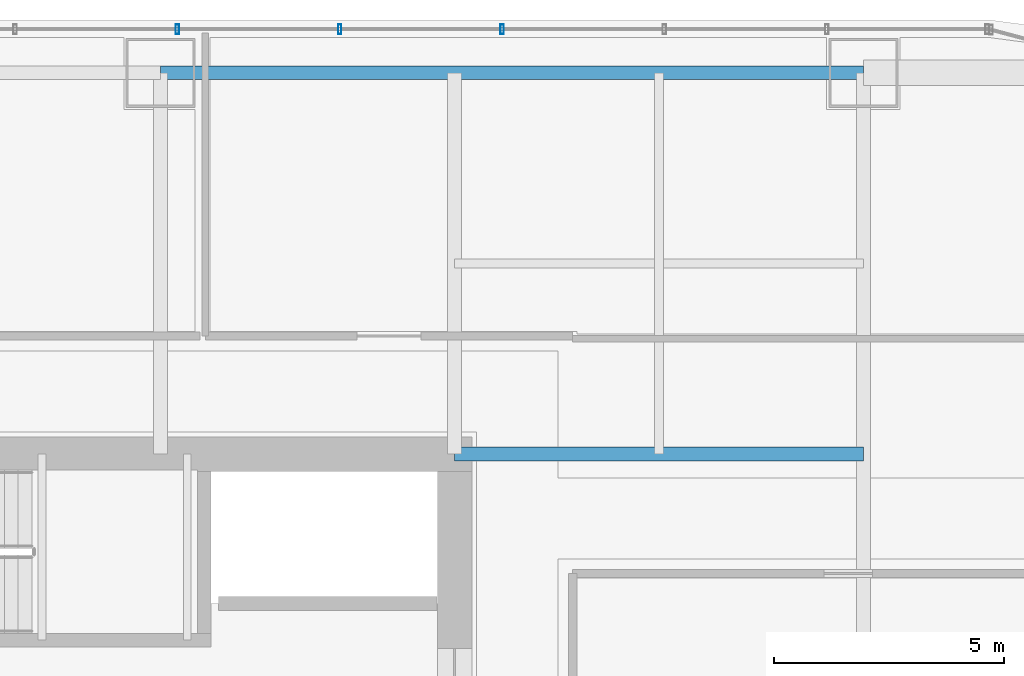
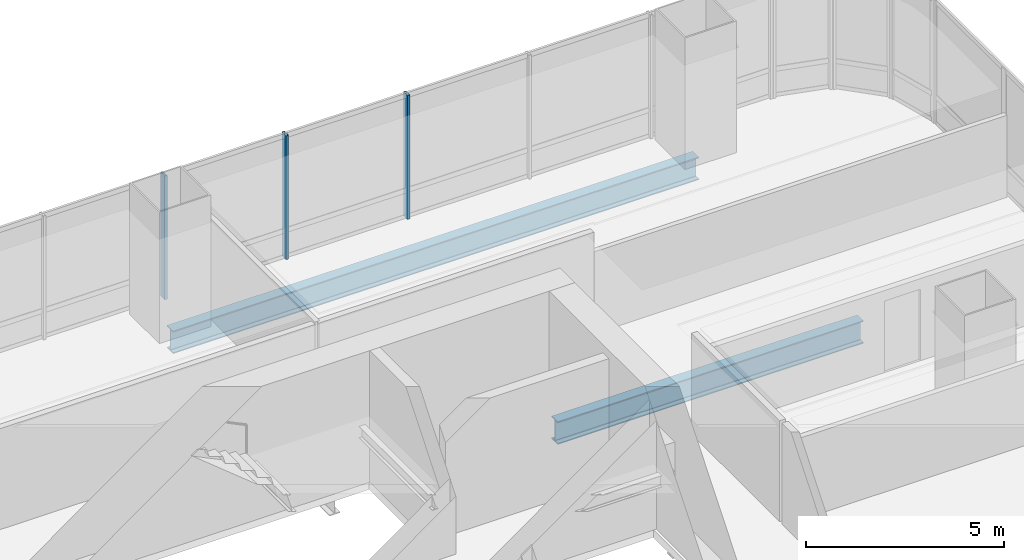
# One storey, part 22 of 35: 3 members, 2 beams, 1 element without a shape of its own.
"""IFC4 building model written with IfcOpenShell, lengths in metres."""

from ifc_helpers import new_model, si_unit, direction, frame, origin, origin_2d, place, context, subcontext, project, spatial, hollow_rectangle, i_section, extrude, material, material_profile, profile_set, type_object, element, aggregate, save


model = new_model("IFC4")

# Units and contexts
model_context = context("Model", 3, precision=1e-05, world=origin(), true_north=direction((0.0, 1.0)))
body_context = subcontext(model_context, "Body", "Model", "MODEL_VIEW")
ifc_project = project(units=[si_unit("LENGTHUNIT", "METRE"), si_unit("AREAUNIT", "SQUARE_METRE"), si_unit("VOLUMEUNIT", "CUBIC_METRE"), si_unit("PLANEANGLEUNIT", "RADIAN"), si_unit("MASSUNIT", "GRAM", prefix="KILO")], contexts=[model_context])

# Site, building, storey
site_placement = place(None, origin())
site = spatial("IfcSite", under=ifc_project, at=site_placement, CompositionType="ELEMENT")
building_placement = place(site_placement, origin())
building = spatial("IfcBuilding", under=site, at=building_placement, Name="Punatoya Terracotta Tower", CompositionType="ELEMENT")
storey_placement = place(building_placement, frame((0.0, 0.0, 72.75)))
storey = spatial("IfcBuildingStorey", under=building, at=storey_placement, Name="L16", CompositionType="ELEMENT", Elevation=72.75)

# Beams
ifc_material_1 = material(Name="Steel S355", Category="steel")
ifc_material_profile_1 = material_profile(ifc_material_1, i_section(OverallWidth=0.300048828125, OverallDepth=0.699951171875, WebThickness=0.01708984375, FlangeThickness=0.031982421875, FilletRadius=0.01806640625, at=origin_2d()))
ifc_profile_set_1 = profile_set([ifc_material_profile_1], Name="Steel S355")
beam_type = type_object("IfcBeamType", Name="BM-PRI-700", PredefinedType="BEAM", material=ifc_profile_set_1)
beam_1_placement = place(storey_placement, frame((3.800048828125, 17.5, -0.590087890625), z_axis=(1.0, 0.0, 0.0), x_axis=(0.0, 1.0, 0.0)))
element("IfcBeam", 1, at=beam_1_placement, inside=storey, type_object=beam_type, Name="BM-L16-RG-N3", PredefinedType="BEAM", context=body_context, shape_type="SweptSolid", body=[
    extrude(i_section(OverallWidth=0.300048828125, OverallDepth=0.699951171875, WebThickness=0.01708984375, FlangeThickness=0.031982421875, FilletRadius=0.01806640625, at=origin_2d()), origin(), (0.0, 0.0, 1.0), 15.300048828125),
])
beam_2_placement = place(storey_placement, frame((10.199951171875, 9.199951171875, -0.590087890625), z_axis=(1.0, 0.0, 0.0), x_axis=(0.0, 1.0, 0.0)))
element("IfcBeam", 2, at=beam_2_placement, inside=storey, type_object=beam_type, Name="BM-L16-PR-EN", PredefinedType="BEAM", context=body_context, shape_type="SweptSolid", body=[
    extrude(i_section(OverallWidth=0.300048828125, OverallDepth=0.699951171875, WebThickness=0.01708984375, FlangeThickness=0.031982421875, FilletRadius=0.01806640625, at=origin_2d()), origin(), (0.0, 0.0, 1.0), 8.900146484375),
])

# Curtain wall, members
ifc_material_2 = material(Name="Aluminium 6063-T6 + Double Low-E Glass", Category="aluminium")
curtain_wall_type = type_object("IfcCurtainWallType", Name="CW-M1", PredefinedType="NOTDEFINED", material=ifc_material_2)
curtain_wall_placement = place(storey_placement, origin())
curtain_wall = element("IfcCurtainWall", 3, at=curtain_wall_placement, inside=storey, type_object=curtain_wall_type, Name="L16 Curtain Wall CW-L16-N09-1", PredefinedType="NOTDEFINED")
ifc_material_3 = material(Name="Aluminium 6063-T6", Category="aluminium")
ifc_material_profile_2 = material_profile(ifc_material_3, hollow_rectangle(XDim=0.074951171875, YDim=0.2099609375, WallThickness=0.00439453125, at=origin_2d()))
ifc_profile_set_2 = profile_set([ifc_material_profile_2], Name="Aluminium 6063-T6")
member_type = type_object("IfcMemberType", Name="CW-MUL-M1", PredefinedType="MULLION", material=ifc_profile_set_2)
member_1_placement = place(storey_placement, frame((11.235107421875, 18.449951171875, 0.0), z_axis=(0.0, 0.0, 1.0), x_axis=(1.0, 0.0, 0.0)))
member_1 = element("IfcMember", 4, at=member_1_placement, type_object=member_type, Name="CW-L16-N09-1 Mullion 03", PredefinedType="MULLION", context=body_context, shape_type="SweptSolid", body=[
    extrude(hollow_rectangle(XDim=0.074951171875, YDim=0.2099609375, WallThickness=0.00439453125, at=origin_2d()), origin(), (0.0, 0.0, 1.0), 3.81005859375),
])
member_2_placement = place(storey_placement, frame((7.700927734375, 18.449951171875, 0.0), z_axis=(0.0, 0.0, 1.0), x_axis=(1.0, 0.0, 0.0)))
member_2 = element("IfcMember", 5, at=member_2_placement, type_object=member_type, Name="CW-L16-N09-1 Mullion 04", PredefinedType="MULLION", context=body_context, shape_type="SweptSolid", body=[
    extrude(hollow_rectangle(XDim=0.074951171875, YDim=0.2099609375, WallThickness=0.00439453125, at=origin_2d()), origin(), (0.0, 0.0, 1.0), 3.81005859375),
])
member_3_placement = place(storey_placement, frame((4.1669921875, 18.449951171875, 0.0), z_axis=(0.0, 0.0, 1.0), x_axis=(1.0, 0.0, 0.0)))
member_3 = element("IfcMember", 6, at=member_3_placement, type_object=member_type, Name="CW-L16-N09-1 Mullion 05", PredefinedType="MULLION", context=body_context, shape_type="SweptSolid", body=[
    extrude(hollow_rectangle(XDim=0.074951171875, YDim=0.2099609375, WallThickness=0.00439453125, at=origin_2d()), origin(), (0.0, 0.0, 1.0), 3.81005859375),
])
aggregate(curtain_wall, [member_1, member_2, member_3])

save(model, "model.ifc")
